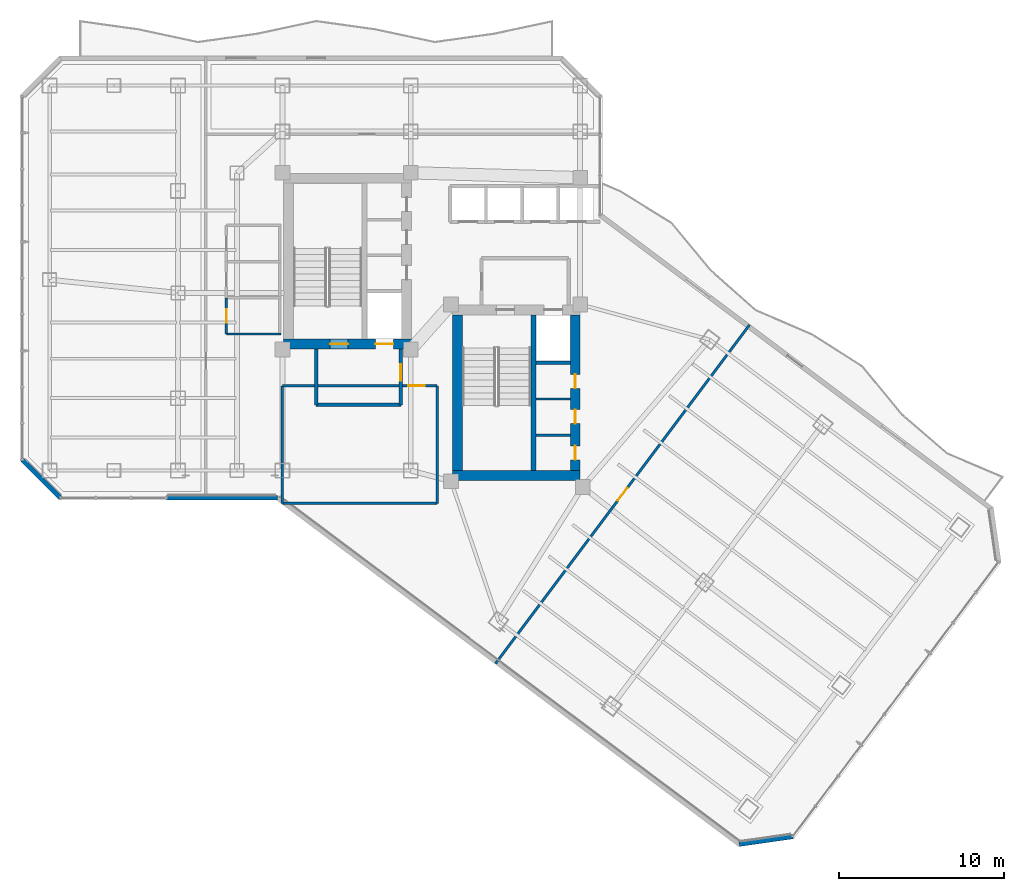
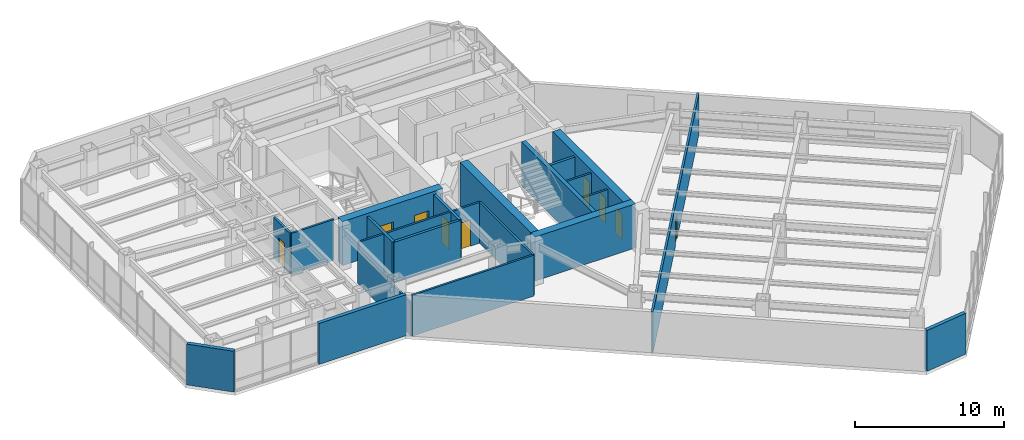
# One storey, part 22 of 29: 21 walls, 9 doors, 9 openings.
"""IFC4 building model written with IfcOpenShell, lengths in metres."""

from ifc_helpers import new_model, si_unit, direction, frame, frame_2d, origin, place, context, subcontext, project, spatial, rectangle, extrude, material, layer, layer_set, type_object, element, fill, save


model = new_model("IFC4")

# Units and contexts
model_context = context("Model", 3, precision=1e-05, world=origin(), true_north=direction((0.0, 1.0)))
body_context = subcontext(model_context, "Body", "Model", "MODEL_VIEW")
ifc_project = project(units=[si_unit("LENGTHUNIT", "METRE"), si_unit("AREAUNIT", "SQUARE_METRE"), si_unit("VOLUMEUNIT", "CUBIC_METRE"), si_unit("PLANEANGLEUNIT", "RADIAN"), si_unit("MASSUNIT", "GRAM", prefix="KILO")], contexts=[model_context])

# Site, building, storey
site_placement = place(None, origin())
site = spatial("IfcSite", under=ifc_project, at=site_placement, CompositionType="ELEMENT")
building_placement = place(site_placement, origin())
building = spatial("IfcBuilding", under=site, at=building_placement, Name="Hatsunagi Terrace Concourse", CompositionType="ELEMENT")
storey_placement = place(building_placement, frame((0.0, 0.0, 126.449951171875)))
storey = spatial("IfcBuildingStorey", under=building, at=storey_placement, Name="L33", CompositionType="ELEMENT", Elevation=126.449951171875)

# Wall, openings, doors
ifc_material_1 = material(Name="Concrete Fc48", Category="concrete")
ifc_layer_1 = layer(ifc_material_1, 0.60009765625)
ifc_layer_set_1 = layer_set([ifc_layer_1], Name="CoreShearWall_Fc48_600")
wall_type_1 = type_object("IfcWallType", Name="CoreShearWall_Fc48_600", PredefinedType="SHEAR", material=ifc_layer_set_1)
wall_1_placement = place(storey_placement, frame((25.6201171875, 32.889892578125, 0.0), z_axis=(0.0, 0.0, 1.0), x_axis=(1.0, 0.0, 0.0)))
wall_1 = element("IfcWall", 1, at=wall_1_placement, inside=storey, type_object=wall_type_1, Name="Core A Shear Wall S L33", PredefinedType="SHEAR", context=body_context, shape_type="SweptSolid", body=[
    extrude(rectangle(XDim=7.77978515625, YDim=0.60009765625, at=frame_2d((3.889892578125, 0.0))), origin(), (0.0, 0.0, 1.0), 3.60009765625),
])
opening_1_placement = place(wall_1_placement, frame((2.830078125, 0.0, 0.0)))
opening_1 = element("IfcOpeningElement", 2, at=opening_1_placement, cuts=wall_1, Name="Opening DR-110S", PredefinedType="OPENING", context=body_context, shape_type="SweptSolid", body=[
    extrude(rectangle(XDim=1.10009765625, YDim=2.199951171875, at=frame_2d((0.550048828125, 1.10009765625))), frame((0.0, 0.31005859375, 0.0), z_axis=(0.0, -1.0, 0.0), x_axis=(1.0, 0.0, 0.0)), (0.0, 0.0, 1.0), 0.6201171875),
])
opening_2_placement = place(wall_1_placement, frame((5.580078125, 0.0, 0.0)))
opening_2 = element("IfcOpeningElement", 3, at=opening_2_placement, cuts=wall_1, Name="Opening LD-01", PredefinedType="OPENING", context=body_context, shape_type="SweptSolid", body=[
    extrude(rectangle(XDim=1.10009765625, YDim=2.14990234375, at=frame_2d((0.550048828125, 1.074951171875))), frame((0.0, 0.31005859375, 0.0), z_axis=(0.0, -1.0, 0.0), x_axis=(1.0, 0.0, 0.0)), (0.0, 0.0, 1.0), 0.6201171875),
])
ifc_material_2 = material(Name="Stainless steel", Category="steel")
door_type_1 = type_object("IfcDoorType", Name="LiftLandingDoor_LD01", OperationType="SLIDING_TO_LEFT", PredefinedType="USERDEFINED", material=ifc_material_2)
door_1_placement = place(opening_2_placement, origin())
door_1 = element("IfcDoor", 4, at=door_1_placement, inside=storey, type_object=door_type_1, Name="Lift landing door FF-01 L33", ObjectType="SLIDING_LANDING_DOOR", OperationType="SLIDING_TO_LEFT", OverallHeight=2.14990234375, OverallWidth=1.10009765625, PredefinedType="USERDEFINED", context=body_context, shape_type="SweptSolid", body=[
    extrude(rectangle(XDim=1.10009765625, YDim=2.14990234375, at=frame_2d((0.550048828125, 1.074951171875))), frame((0.0, 0.02490234375, 0.0), z_axis=(0.0, -1.0, 0.0), x_axis=(1.0, 0.0, 0.0)), (0.0, 0.0, 1.0), 0.050048828125),
])
fill(opening_2, door_1)
ifc_material_3 = material(Name="Painted steel", Category="steel")
door_type_2 = type_object("IfcDoorType", Name="StairFireDoor_EI60_1100", OperationType="NOTDEFINED", PredefinedType="DOOR", material=ifc_material_3)
door_2_placement = place(opening_1_placement, origin())
door_2 = element("IfcDoor", 5, at=door_2_placement, inside=storey, type_object=door_type_2, Name="Stair ST-A Exit Door L33", OperationType="SINGLE_SWING_LEFT", OverallHeight=2.199951171875, OverallWidth=1.10009765625, PredefinedType="DOOR", context=body_context, shape_type="SweptSolid", body=[
    extrude(rectangle(XDim=1.10009765625, YDim=2.199951171875, at=frame_2d((0.550048828125, 1.10009765625))), frame((0.0, 0.02490234375, 0.0), z_axis=(0.0, -1.0, 0.0), x_axis=(1.0, 0.0, 0.0)), (0.0, 0.0, 1.0), 0.050048828125),
])
fill(opening_1, door_2)

# Walls
wall_2_placement = place(storey_placement, frame((35.889892578125, 24.889892578125, 0.0), z_axis=(0.0, 0.0, 1.0), x_axis=(1.0, 0.0, 0.0)))
element("IfcWall", 6, at=wall_2_placement, inside=storey, type_object=wall_type_1, Name="Core B Shear Wall S L33", PredefinedType="SHEAR", context=body_context, shape_type="SweptSolid", body=[
    extrude(rectangle(XDim=7.760009765625, YDim=0.60009765625, at=frame_2d((3.8798828125, 0.0))), origin(), (0.0, 0.0, 1.0), 3.60009765625),
])
wall_3_placement = place(storey_placement, frame((36.18994140625, 25.18994140625, 0.0), z_axis=(0.0, 0.0, 1.0), x_axis=(0.0, 1.0, 0.0)))
element("IfcWall", 7, at=wall_3_placement, inside=storey, type_object=wall_type_1, Name="Core B Shear Wall W L33", PredefinedType="SHEAR", context=body_context, shape_type="SweptSolid", body=[
    extrude(rectangle(XDim=9.47998046875, YDim=0.60009765625, at=frame_2d((4.739990234375, 0.0))), origin(), (0.0, 0.0, 1.0), 3.60009765625),
])

# Wall, openings, doors
wall_4_placement = place(storey_placement, frame((43.35009765625, 25.18994140625, 0.0), z_axis=(0.0, 0.0, 1.0), x_axis=(0.0, 1.0, 0.0)))
wall_4 = element("IfcWall", 8, at=wall_4_placement, inside=storey, type_object=wall_type_1, Name="Core B Shear Wall E L33", PredefinedType="SHEAR", context=body_context, shape_type="SweptSolid", body=[
    extrude(rectangle(XDim=9.47998046875, YDim=0.60009765625, at=frame_2d((4.739990234375, 0.0))), origin(), (0.0, 0.0, 1.0), 3.60009765625),
])
opening_3_placement = place(wall_4_placement, frame((0.659912109375, 0.0, 0.0)))
opening_3 = element("IfcOpeningElement", 9, at=opening_3_placement, cuts=wall_4, Name="Opening DR-085", PredefinedType="OPENING", context=body_context, shape_type="SweptSolid", body=[
    extrude(rectangle(XDim=0.85009765625, YDim=2.080078125, at=frame_2d((0.425048828125, 1.0400390625))), frame((0.0, 0.31005859375, 0.0), z_axis=(0.0, -1.0, 0.0), x_axis=(1.0, 0.0, 0.0)), (0.0, 0.0, 1.0), 0.6201171875),
])
opening_4_placement = place(wall_4_placement, frame((2.860107421875, 0.0, 0.0)))
opening_4 = element("IfcOpeningElement", 10, at=opening_4_placement, cuts=wall_4, Name="Opening DR-085", PredefinedType="OPENING", context=body_context, shape_type="SweptSolid", body=[
    extrude(rectangle(XDim=0.85009765625, YDim=2.080078125, at=frame_2d((0.425048828125, 1.0400390625))), frame((0.0, 0.31005859375, 0.0), z_axis=(0.0, -1.0, 0.0), x_axis=(1.0, 0.0, 0.0)), (0.0, 0.0, 1.0), 0.6201171875),
])
opening_5_placement = place(wall_4_placement, frame((5.010009765625, 0.0, 0.0)))
opening_5 = element("IfcOpeningElement", 11, at=opening_5_placement, cuts=wall_4, Name="Opening DR-085", PredefinedType="OPENING", context=body_context, shape_type="SweptSolid", body=[
    extrude(rectangle(XDim=0.85009765625, YDim=2.080078125, at=frame_2d((0.425048828125, 1.0400390625))), frame((0.0, 0.31005859375, 0.0), z_axis=(0.0, -1.0, 0.0), x_axis=(1.0, 0.0, 0.0)), (0.0, 0.0, 1.0), 0.6201171875),
])
ifc_material_4 = material(Name="Painted steel", Category="steel")
door_type_3 = type_object("IfcDoorType", Name="RiserAccessDoor_EI60_850", OperationType="NOTDEFINED", PredefinedType="DOOR", material=ifc_material_4)
door_3_placement = place(opening_3_placement, origin())
door_3 = element("IfcDoor", 12, at=door_3_placement, inside=storey, type_object=door_type_3, Name="Core B Riser Door L33-1", OperationType="SINGLE_SWING_RIGHT", OverallHeight=2.080078125, OverallWidth=0.85009765625, PredefinedType="DOOR", context=body_context, shape_type="SweptSolid", body=[
    extrude(rectangle(XDim=0.85009765625, YDim=2.080078125, at=frame_2d((0.425048828125, 1.0400390625))), frame((0.0, 0.02490234375, 0.0), z_axis=(0.0, -1.0, 0.0), x_axis=(1.0, 0.0, 0.0)), (0.0, 0.0, 1.0), 0.050048828125),
])
fill(opening_3, door_3)
door_4_placement = place(opening_4_placement, origin())
door_4 = element("IfcDoor", 13, at=door_4_placement, inside=storey, type_object=door_type_3, Name="Core B Riser Door L33-2", OperationType="SINGLE_SWING_RIGHT", OverallHeight=2.080078125, OverallWidth=0.85009765625, PredefinedType="DOOR", context=body_context, shape_type="SweptSolid", body=[
    extrude(rectangle(XDim=0.85009765625, YDim=2.080078125, at=frame_2d((0.425048828125, 1.0400390625))), frame((0.0, 0.02490234375, 0.0), z_axis=(0.0, -1.0, 0.0), x_axis=(1.0, 0.0, 0.0)), (0.0, 0.0, 1.0), 0.050048828125),
])
fill(opening_4, door_4)
door_5_placement = place(opening_5_placement, origin())
door_5 = element("IfcDoor", 14, at=door_5_placement, inside=storey, type_object=door_type_3, Name="Core B Riser Door L33-3", OperationType="SINGLE_SWING_RIGHT", OverallHeight=2.080078125, OverallWidth=0.85009765625, PredefinedType="DOOR", context=body_context, shape_type="SweptSolid", body=[
    extrude(rectangle(XDim=0.85009765625, YDim=2.080078125, at=frame_2d((0.425048828125, 1.0400390625))), frame((0.0, 0.02490234375, 0.0), z_axis=(0.0, -1.0, 0.0), x_axis=(1.0, 0.0, 0.0)), (0.0, 0.0, 1.0), 0.050048828125),
])
fill(opening_5, door_5)

# Walls
ifc_material_5 = material(Name="Concrete Fc48", Category="concrete")
ifc_layer_2 = layer(ifc_material_5, 0.300048828125)
ifc_layer_set_2 = layer_set([ifc_layer_2], Name="CoreStairDivider_Fc48_300")
wall_type_2 = type_object("IfcWallType", Name="CoreStairDivider_Fc48_300", PredefinedType="SHEAR", material=ifc_layer_set_2)
wall_5_placement = place(storey_placement, frame((40.81005859375, 25.18994140625, 0.0), z_axis=(0.0, 0.0, 1.0), x_axis=(0.0, 1.0, 0.0)))
element("IfcWall", 15, at=wall_5_placement, inside=storey, type_object=wall_type_2, Name="Core B Shear Wall D L33", PredefinedType="SHEAR", context=body_context, shape_type="SweptSolid", body=[
    extrude(rectangle(XDim=9.47998046875, YDim=0.300048828125, at=frame_2d((4.739990234375, 0.0))), origin(), (0.0, 0.0, 1.0), 3.60009765625),
])
ifc_material_6 = material(Name="Acoustic mineral board", Category="gypsum")
ifc_layer_3 = layer(ifc_material_6, 0.14990234375)
ifc_layer_set_3 = layer_set([ifc_layer_3], Name="PartitionWall_EI60_150")
wall_type_3 = type_object("IfcWallType", Name="PartitionWall_EI60_150", PredefinedType="PARTITIONING", material=ifc_layer_set_3)
for number, where, z_axis, x_axis, name in (
    (16, (40.969970703125, 27.35009765625, 0.0), (0.0, 0.0, 1.0), (1.0, 0.0, 0.0), "Interior Partition IW-L33-005"),
    (17, (40.969970703125, 29.550048828125, 0.0), (0.0, 0.0, 1.0), (1.0, 0.0, 0.0), "Interior Partition IW-L33-006"),
):
    element("IfcWall", number, at=place(storey_placement, frame(where, z_axis=z_axis, x_axis=x_axis)), inside=storey, type_object=wall_type_3, Name=name, PredefinedType="PARTITIONING", context=body_context, shape_type="SweptSolid", body=[
        extrude(rectangle(XDim=2.080078125, YDim=0.14990234375, at=frame_2d((1.0400390625, 0.0))), origin(), (0.0, 0.0, 1.0), 3.340087890625),
    ])
wall_6_placement = place(storey_placement, frame((22.14990234375, 33.5, 0.0), z_axis=(0.0, 0.0, 1.0), x_axis=(1.0, 0.0, 0.0)))
element("IfcWall", 18, at=wall_6_placement, inside=storey, type_object=wall_type_3, Name="Interior Partition IW-L33-019", PredefinedType="PARTITIONING", context=body_context, shape_type="SweptSolid", body=[
    extrude(rectangle(XDim=3.300048828125, YDim=0.14990234375, at=frame_2d((1.64990234375, 0.0))), origin(), (0.0, 0.0, 1.0), 3.340087890625),
])

# Wall, opening, door
wall_7_placement = place(storey_placement, frame((22.14990234375, 33.5, 0.0), z_axis=(0.0, 0.0, 1.0), x_axis=(0.0, 1.0, 0.0)))
wall_7 = element("IfcWall", 19, at=wall_7_placement, inside=storey, type_object=wall_type_3, Name="Interior Partition IW-L33-024", PredefinedType="PARTITIONING", context=body_context, shape_type="SweptSolid", body=[
    extrude(rectangle(XDim=2.199951171875, YDim=0.14990234375, at=frame_2d((1.10009765625, 0.0))), origin(), (0.0, 0.0, 1.0), 3.340087890625),
])
opening_6_placement = place(wall_7_placement, frame((0.699951171875, 0.0, 0.0)))
opening_6 = element("IfcOpeningElement", 20, at=opening_6_placement, cuts=wall_7, Name="Opening DR-080", PredefinedType="OPENING", context=body_context, shape_type="SweptSolid", body=[
    extrude(rectangle(XDim=0.800048828125, YDim=2.06005859375, at=frame_2d((0.39990234375, 1.030029296875))), frame((0.0, 0.0849609375, 0.0), z_axis=(0.0, -1.0, 0.0), x_axis=(1.0, 0.0, 0.0)), (0.0, 0.0, 1.0), 0.169921875),
])
ifc_material_7 = material(Name="Hardwood timber", Category="wood")
door_type_4 = type_object("IfcDoorType", Name="BathroomDoor_800", OperationType="NOTDEFINED", PredefinedType="DOOR", material=ifc_material_7)
door_6_placement = place(opening_6_placement, origin())
door_6 = element("IfcDoor", 21, at=door_6_placement, inside=storey, type_object=door_type_4, Name="Accessible WC Door L33", OperationType="SINGLE_SWING_RIGHT", OverallHeight=2.06005859375, OverallWidth=0.800048828125, PredefinedType="DOOR", context=body_context, shape_type="SweptSolid", body=[
    extrude(rectangle(XDim=0.800048828125, YDim=2.06005859375, at=frame_2d((0.39990234375, 1.030029296875))), frame((0.0, 0.02490234375, 0.0), z_axis=(0.0, -1.0, 0.0), x_axis=(1.0, 0.0, 0.0)), (0.0, 0.0, 1.0), 0.050048828125),
])
fill(opening_6, door_6)

# Wall
wall_8_placement = place(storey_placement, frame((25.550048828125, 23.199951171875, 0.0), z_axis=(0.0, 0.0, 1.0), x_axis=(1.0, 0.0, 0.0)))
element("IfcWall", 22, at=wall_8_placement, inside=storey, type_object=wall_type_3, Name="Interior Partition IW-L33-027", PredefinedType="PARTITIONING", context=body_context, shape_type="SweptSolid", body=[
    extrude(rectangle(XDim=9.39990234375, YDim=0.14990234375, at=frame_2d((4.699951171875, 0.0))), origin(), (0.0, 0.0, 1.0), 3.340087890625),
])

# Wall, opening, door
wall_9_placement = place(storey_placement, frame((25.550048828125, 30.35009765625, 0.0), z_axis=(0.0, 0.0, 1.0), x_axis=(1.0, 0.0, 0.0)))
wall_9 = element("IfcWall", 23, at=wall_9_placement, inside=storey, type_object=wall_type_3, Name="Interior Partition IW-L33-028", PredefinedType="PARTITIONING", context=body_context, shape_type="SweptSolid", body=[
    extrude(rectangle(XDim=9.39990234375, YDim=0.14990234375, at=frame_2d((4.699951171875, 0.0))), origin(), (0.0, 0.0, 1.0), 3.340087890625),
])
opening_7_placement = place(wall_9_placement, frame((7.637939453125, 0.0, 0.0)))
opening_7 = element("IfcOpeningElement", 24, at=opening_7_placement, cuts=wall_9, Name="Opening DR-100S", PredefinedType="OPENING", context=body_context, shape_type="SweptSolid", body=[
    extrude(rectangle(XDim=1.0, YDim=2.14990234375, at=frame_2d((0.5, 1.074951171875))), frame((0.0, 0.0849609375, 0.0), z_axis=(0.0, -1.0, 0.0), x_axis=(1.0, 0.0, 0.0)), (0.0, 0.0, 1.0), 0.169921875),
])
ifc_material_8 = material(Name="Hardwood timber", Category="wood")
door_type_5 = type_object("IfcDoorType", Name="SuiteDoor_EI30_1000", OperationType="NOTDEFINED", PredefinedType="DOOR", material=ifc_material_8)
door_7_placement = place(opening_7_placement, origin())
door_7 = element("IfcDoor", 25, at=door_7_placement, inside=storey, type_object=door_type_5, Name="Design Studio L33-RECL1 Door", OperationType="SINGLE_SWING_RIGHT", OverallHeight=2.14990234375, OverallWidth=1.0, PredefinedType="DOOR", context=body_context, shape_type="SweptSolid", body=[
    extrude(rectangle(XDim=1.0, YDim=2.14990234375, at=frame_2d((0.5, 1.074951171875))), frame((0.0, 0.02490234375, 0.0), z_axis=(0.0, -1.0, 0.0), x_axis=(1.0, 0.0, 0.0)), (0.0, 0.0, 1.0), 0.050048828125),
])
fill(opening_7, door_7)

# Walls
wall_10_placement = place(storey_placement, frame((25.550048828125, 23.199951171875, 0.0), z_axis=(0.0, 0.0, 1.0), x_axis=(0.0, 1.0, 0.0)))
element("IfcWall", 26, at=wall_10_placement, inside=storey, type_object=wall_type_3, Name="Interior Partition IW-L33-029", PredefinedType="PARTITIONING", context=body_context, shape_type="SweptSolid", body=[
    extrude(rectangle(XDim=7.150146484375, YDim=0.14990234375, at=frame_2d((3.5751953125, 0.0))), origin(), (0.0, 0.0, 1.0), 2.695068359375),
])
wall_11_placement = place(storey_placement, frame((34.949951171875, 23.199951171875, 0.0), z_axis=(0.0, 0.0, 1.0), x_axis=(0.0, 1.0, 0.0)))
element("IfcWall", 27, at=wall_11_placement, inside=storey, type_object=wall_type_3, Name="Interior Partition IW-L33-030", PredefinedType="PARTITIONING", context=body_context, shape_type="SweptSolid", body=[
    extrude(rectangle(XDim=7.150146484375, YDim=0.14990234375, at=frame_2d((3.5751953125, 0.0))), origin(), (0.0, 0.0, 1.0), 3.340087890625),
])

# Wall, opening, door
wall_12_placement = place(storey_placement, frame((38.50390625, 13.471923828125, 0.0), z_axis=(0.0, 0.0, 1.0), x_axis=(0.6, 0.8, 0.0)))
wall_12 = element("IfcWall", 28, at=wall_12_placement, inside=storey, type_object=wall_type_3, Name="Interior Partition IW-L33-033", PredefinedType="PARTITIONING", context=body_context, shape_type="SweptSolid", body=[
    extrude(rectangle(XDim=25.72021484375, YDim=0.14990234375, at=frame_2d((12.860107421875, 0.0))), origin(), (0.0, 0.0, 1.0), 3.340087890625),
])
opening_8_placement = place(wall_12_placement, frame((12.385009765625, 0.0, 0.0)))
opening_8 = element("IfcOpeningElement", 29, at=opening_8_placement, cuts=wall_12, Name="Opening DR-095", PredefinedType="OPENING", context=body_context, shape_type="SweptSolid", body=[
    extrude(rectangle(XDim=0.949951171875, YDim=2.14990234375, at=frame_2d((0.47509765625, 1.074951171875))), frame((0.0, 0.0849609375, 0.0), z_axis=(0.0, -1.0, 0.0), x_axis=(1.0, 0.0, 0.0)), (0.0, 0.0, 1.0), 0.169921875),
])
ifc_material_9 = material(Name="Hardwood timber", Category="wood")
door_type_6 = type_object("IfcDoorType", Name="InteriorSuiteDoor_EI30_950", OperationType="NOTDEFINED", PredefinedType="DOOR", material=ifc_material_9)
door_8_placement = place(opening_8_placement, origin())
door_8 = element("IfcDoor", 30, at=door_8_placement, inside=storey, type_object=door_type_6, Name="Design Studio L33-OSE1 Door", OperationType="SINGLE_SWING_RIGHT", OverallHeight=2.14990234375, OverallWidth=0.949951171875, PredefinedType="DOOR", context=body_context, shape_type="SweptSolid", body=[
    extrude(rectangle(XDim=0.949951171875, YDim=2.14990234375, at=frame_2d((0.47509765625, 1.074951171875))), frame((0.0, 0.02490234375, 0.0), z_axis=(0.0, -1.0, 0.0), x_axis=(1.0, 0.0, 0.0)), (0.0, 0.0, 1.0), 0.050048828125),
])
fill(opening_8, door_8)

# Walls
ifc_material_10 = material(Name="Acoustic mineral board", Category="gypsum")
ifc_layer_4 = layer(ifc_material_10, 0.199951171875)
ifc_layer_set_4 = layer_set([ifc_layer_4], Name="ShaftWall_EI120_200")
wall_type_4 = type_object("IfcWallType", Name="ShaftWall_EI120_200", PredefinedType="STANDARD", material=ifc_layer_set_4)
wall_13_placement = place(storey_placement, frame((40.969970703125, 31.760009765625, 0.0), z_axis=(0.0, 0.0, 1.0), x_axis=(1.0, 0.0, 0.0)))
element("IfcWall", 31, at=wall_13_placement, inside=storey, type_object=wall_type_4, Name="Interior Partition IW-L33-004", PredefinedType="STANDARD", context=body_context, shape_type="SweptSolid", body=[
    extrude(rectangle(XDim=2.080078125, YDim=0.199951171875, at=frame_2d((1.0400390625, 0.0))), origin(), (0.0, 0.0, 1.0), 3.340087890625),
])
wall_14_placement = place(storey_placement, frame((27.60009765625, 29.199951171875, 0.0), z_axis=(0.0, 0.0, 1.0), x_axis=(1.0, 0.0, 0.0)))
element("IfcWall", 32, at=wall_14_placement, inside=storey, type_object=wall_type_4, Name="Interior Partition IW-L33-007", PredefinedType="STANDARD", context=body_context, shape_type="SweptSolid", body=[
    extrude(rectangle(XDim=5.14990234375, YDim=0.199951171875, at=frame_2d((2.574951171875, 0.0))), origin(), (0.0, 0.0, 1.0), 3.340087890625),
])
wall_15_placement = place(storey_placement, frame((27.60009765625, 29.199951171875, 0.0), z_axis=(0.0, 0.0, 1.0), x_axis=(0.0, 1.0, 0.0)))
element("IfcWall", 33, at=wall_15_placement, inside=storey, type_object=wall_type_4, Name="Interior Partition IW-L33-008", PredefinedType="STANDARD", context=body_context, shape_type="SweptSolid", body=[
    extrude(rectangle(XDim=3.39013671875, YDim=0.199951171875, at=frame_2d((1.695068359375, 0.0))), origin(), (0.0, 0.0, 1.0), 3.340087890625),
])

# Wall, opening, door
wall_16_placement = place(storey_placement, frame((32.75, 29.199951171875, 0.0), z_axis=(0.0, 0.0, 1.0), x_axis=(0.0, 1.0, 0.0)))
wall_16 = element("IfcWall", 34, at=wall_16_placement, inside=storey, type_object=wall_type_4, Name="Interior Partition IW-L33-009", PredefinedType="STANDARD", context=body_context, shape_type="SweptSolid", body=[
    extrude(rectangle(XDim=3.39013671875, YDim=0.199951171875, at=frame_2d((1.695068359375, 0.0))), origin(), (0.0, 0.0, 1.0), 3.340087890625),
])
opening_9_placement = place(wall_16_placement, frame((1.449951171875, 0.0, 0.0)))
opening_9 = element("IfcOpeningElement", 35, at=opening_9_placement, cuts=wall_16, Name="Opening DR-100F", PredefinedType="OPENING", context=body_context, shape_type="SweptSolid", body=[
    extrude(rectangle(XDim=1.0, YDim=2.199951171875, at=frame_2d((0.5, 1.10009765625))), frame((0.0, 0.10986328125, 0.0), z_axis=(0.0, -1.0, 0.0), x_axis=(1.0, 0.0, 0.0)), (0.0, 0.0, 1.0), 0.219970703125),
])
ifc_material_11 = material(Name="Painted steel", Category="steel")
door_type_7 = type_object("IfcDoorType", Name="FireDoor_EI60_1000", OperationType="NOTDEFINED", PredefinedType="DOOR", material=ifc_material_11)
door_9_placement = place(opening_9_placement, origin())
door_9 = element("IfcDoor", 36, at=door_9_placement, inside=storey, type_object=door_type_7, Name="Firefighting Lobby A Door L33", OperationType="SINGLE_SWING_RIGHT", OverallHeight=2.199951171875, OverallWidth=1.0, PredefinedType="DOOR", context=body_context, shape_type="SweptSolid", body=[
    extrude(rectangle(XDim=1.0, YDim=2.199951171875, at=frame_2d((0.5, 1.10009765625))), frame((0.0, 0.02490234375, 0.0), z_axis=(0.0, -1.0, 0.0), x_axis=(1.0, 0.0, 0.0)), (0.0, 0.0, 1.0), 0.050048828125),
])
fill(opening_9, door_9)

# Walls
ifc_material_12 = material(Name="Autoclaved Lightweight Concrete and Terracotta Cladding", Category="masonry")
ifc_layer_5 = layer(ifc_material_12, 0.280029296875)
ifc_layer_set_5 = layer_set([ifc_layer_5], Name="TerracottaSpandrelWall_280")
wall_type_5 = type_object("IfcWallType", Name="TerracottaSpandrelWall_280", PredefinedType="STANDARD", material=ifc_layer_set_5)
wall_17_placement = place(storey_placement, frame((56.56298828125, 2.949951171875, 0.0), z_axis=(0.0, 0.0, 1.0), x_axis=(-0.989977778067, -0.141223223777, 0.0)))
element("IfcWall", 37, at=wall_17_placement, inside=storey, type_object=wall_type_5, Name="Exterior Spandrel Wall EW-L33-04", PredefinedType="STANDARD", context=body_context, shape_type="SweptSolid", body=[
    extrude(rectangle(XDim=3.27783203125, YDim=0.280029296875, at=frame_2d((1.638916015625, 0.0))), origin(), (0.0, 0.0, 1.0), 3.340087890625),
])
wall_18_placement = place(storey_placement, frame((25.2470703125, 23.5400390625, 0.0), z_axis=(0.0, 0.0, 1.0), x_axis=(-1.0, 0.0, 0.0)))
element("IfcWall", 38, at=wall_18_placement, inside=storey, type_object=wall_type_5, Name="Exterior Spandrel Wall EW-L33-06", PredefinedType="STANDARD", context=body_context, shape_type="SweptSolid", body=[
    extrude(rectangle(XDim=6.7470703125, YDim=0.280029296875, at=frame_2d((3.37353515625, 0.0))), origin(), (0.0, 0.0, 1.0), 3.340087890625),
])
wall_19_placement = place(storey_placement, frame((12.05810546875, 23.5400390625, 0.0), z_axis=(0.0, 0.0, 1.0), x_axis=(-0.707144017911, 0.707069542501, 0.0)))
element("IfcWall", 39, at=wall_19_placement, inside=storey, type_object=wall_type_5, Name="Exterior Spandrel Wall EW-L33-08", PredefinedType="STANDARD", context=body_context, shape_type="SweptSolid", body=[
    extrude(rectangle(XDim=3.278076171875, YDim=0.280029296875, at=frame_2d((1.63916015625, 0.0))), origin(), (0.0, 0.0, 1.0), 3.340087890625),
])

save(model, "model.ifc")
